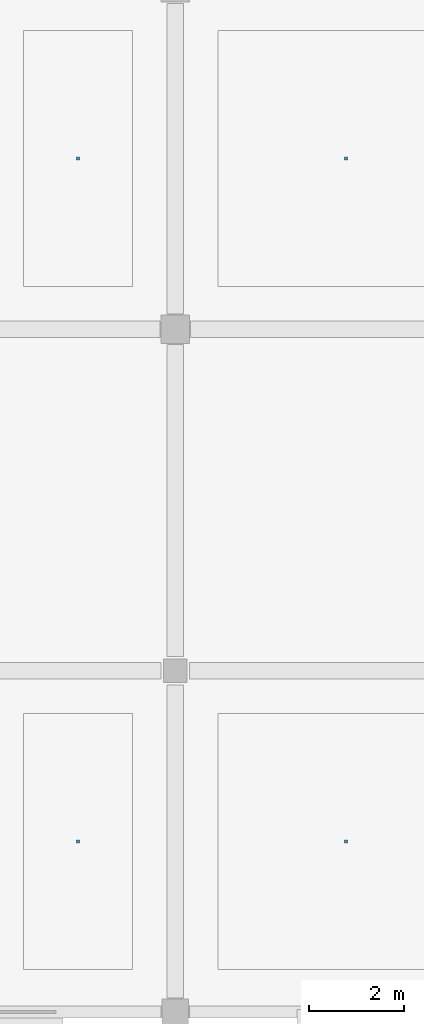
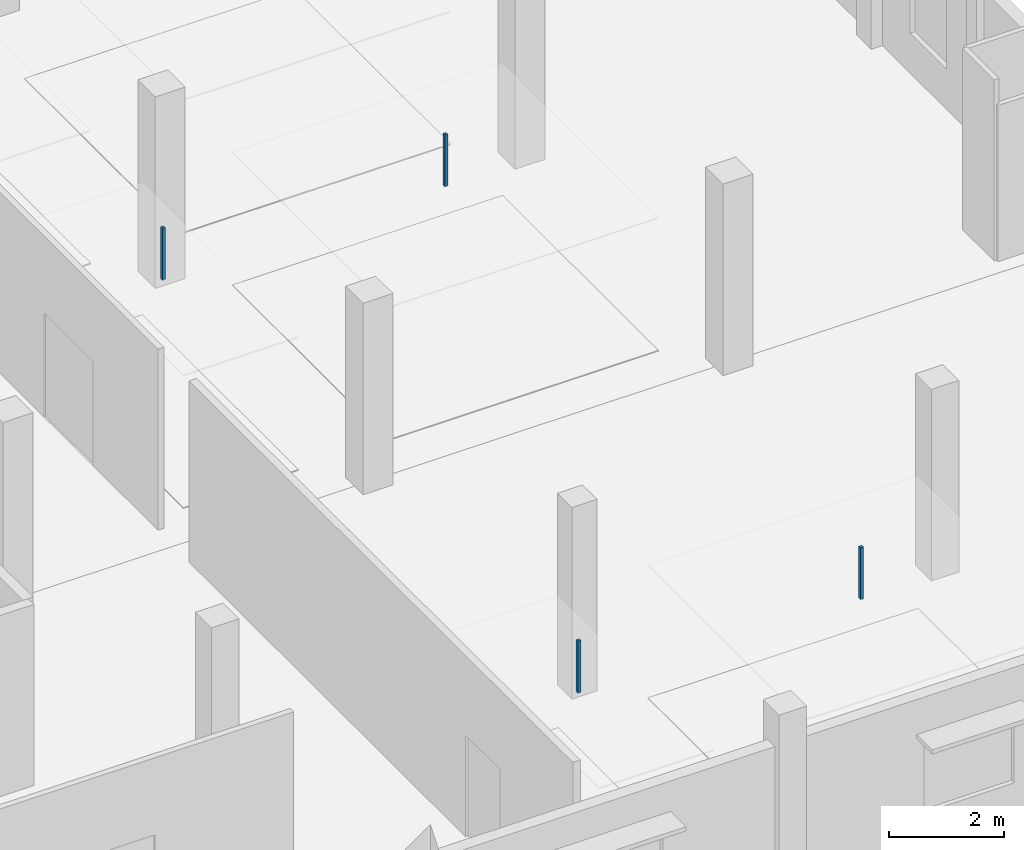
# One storey, part 51 of 59: 4 discrete accessories.
"""IFC4 building model written with IfcOpenShell, lengths in metres."""

from ifc_helpers import new_model, si_unit, direction, frame, origin, origin_2d, place, context, subcontext, project, spatial, rectangle, extrude, material, type_object, element, save


model = new_model("IFC4")

# Units and contexts
model_context = context("Model", 3, precision=1e-05, world=origin(), true_north=direction((0.0, 1.0)))
body_context = subcontext(model_context, "Body", "Model", "MODEL_VIEW")
ifc_project = project(units=[si_unit("LENGTHUNIT", "METRE"), si_unit("AREAUNIT", "SQUARE_METRE"), si_unit("VOLUMEUNIT", "CUBIC_METRE"), si_unit("PLANEANGLEUNIT", "RADIAN"), si_unit("MASSUNIT", "GRAM", prefix="KILO")], contexts=[model_context])

# Site, building, storey
site_placement = place(None, origin())
site = spatial("IfcSite", under=ifc_project, at=site_placement, CompositionType="ELEMENT")
building_placement = place(site_placement, origin())
building = spatial("IfcBuilding", under=site, at=building_placement, Name="Kangsadwip Square Police Headquarters", CompositionType="ELEMENT")
storey_placement = place(building_placement, frame((0.0, 0.0, 21.60009765625)))
storey = spatial("IfcBuildingStorey", under=building, at=storey_placement, Name="L05", CompositionType="ELEMENT", Elevation=21.60009765625)

# Discrete accessories
ifc_material = material(Name="Structural steel IS 2062 E350 (Grade 350, 350 MPa)", Category="steel")
discrete_accessory_type = type_object("IfcDiscreteAccessoryType", Name="VeilOutriggerBracket", PredefinedType="BRACKET", material=ifc_material)
for number, where, z_axis, x_axis, name in (
    (1, (149.14990234375, 39.60009765625, 2.809814453125), (0.0, 0.0, 1.0), (1.0, 0.0, 0.0), "Ceiling Suspension Hanger L05-143"),
    (2, (154.800048828125, 39.60009765625, 2.809814453125), (0.0, 0.0, 1.0), (1.0, 0.0, 0.0), "Ceiling Suspension Hanger L05-144"),
    (3, (149.14990234375, 25.199951171875, 2.809814453125), (0.0, 0.0, 1.0), (1.0, 0.0, 0.0), "Ceiling Suspension Hanger L05-149"),
    (4, (154.800048828125, 25.199951171875, 2.809814453125), (0.0, 0.0, 1.0), (1.0, 0.0, 0.0), "Ceiling Suspension Hanger L05-150"),
):
    element("IfcDiscreteAccessory", number, at=place(storey_placement, frame(where, z_axis=z_axis, x_axis=x_axis)), inside=storey, type_object=discrete_accessory_type, Name=name, PredefinedType="BRACKET", context=body_context, shape_type="SweptSolid", body=[
        extrude(rectangle(XDim=0.06005859375, YDim=0.06005859375, at=origin_2d()), origin(), (0.0, 0.0, 1.0), 1.10009765625),
    ])

save(model, "model.ifc")
